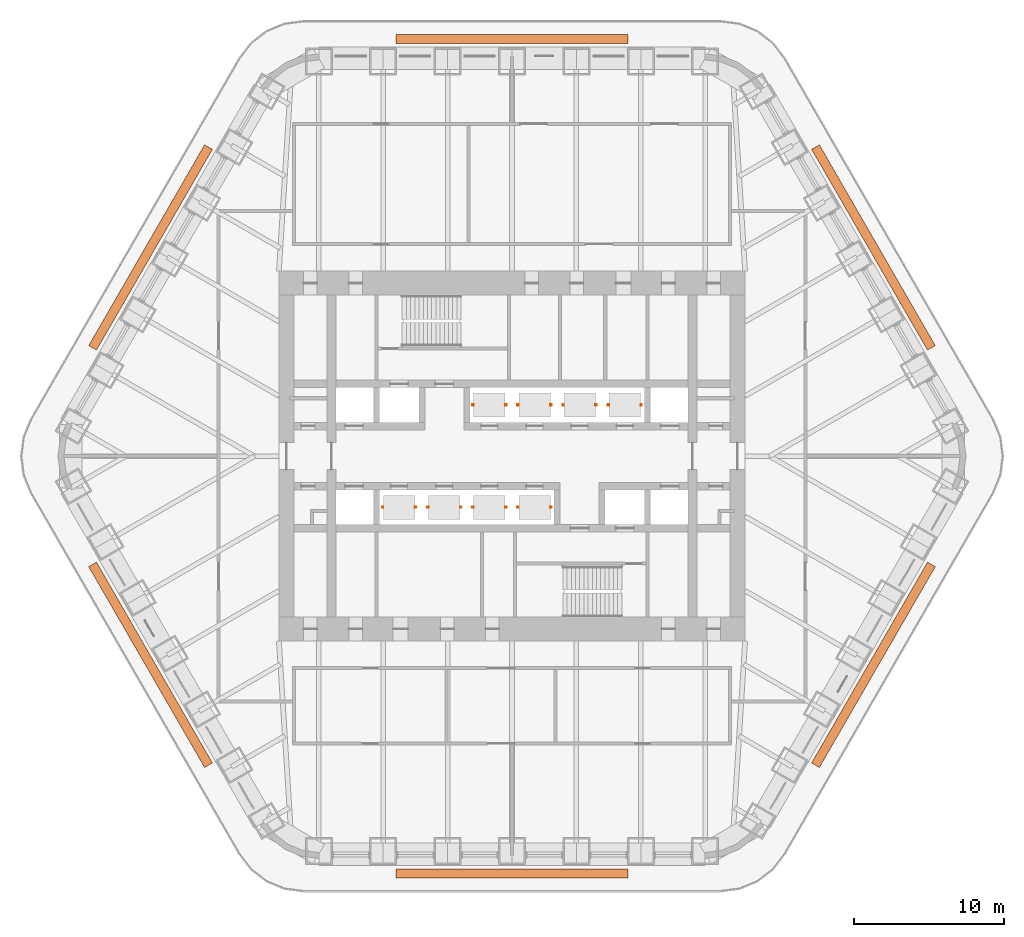
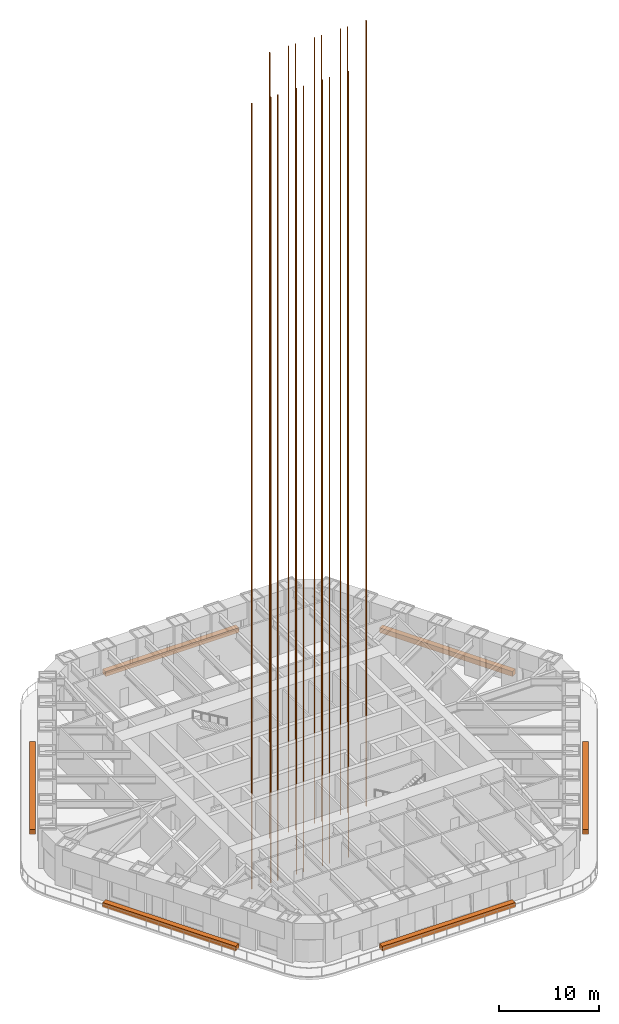
# One storey, part 14 of 14: 14 proxies.
"""IFC4 building model written with IfcOpenShell, lengths in metres."""

from ifc_helpers import new_model, si_unit, direction, frame, frame_2d, origin, origin_2d, place, context, subcontext, project, spatial, rectangle, extrude, material, element, save


model = new_model("IFC4")

# Units and contexts
model_context = context("Model", 3, precision=1e-05, world=origin(), true_north=direction((0.0, 1.0)))
body_context = subcontext(model_context, "Body", "Model", "MODEL_VIEW")
ifc_project = project(units=[si_unit("LENGTHUNIT", "METRE"), si_unit("AREAUNIT", "SQUARE_METRE"), si_unit("VOLUMEUNIT", "CUBIC_METRE"), si_unit("PLANEANGLEUNIT", "RADIAN"), si_unit("MASSUNIT", "GRAM", prefix="KILO")], contexts=[model_context])

# Site, building, storey
site_placement = place(None, origin())
site = spatial("IfcSite", under=ifc_project, at=site_placement, CompositionType="ELEMENT")
building_placement = place(site_placement, origin())
building = spatial("IfcBuilding", under=site, at=building_placement, Name="Tarfa Lantern Tower", CompositionType="ELEMENT")
storey_placement = place(building_placement, frame((0.0, 0.0, 306.5)))
storey = spatial("IfcBuildingStorey", under=building, at=storey_placement, Name="L69", CompositionType="ELEMENT", Elevation=306.5)

# Proxies
ifc_material_1 = material(Name="Planting bed")
for number, where, z_axis, x_axis, name in (
    (1, (24.0322265625, 13.875, 0.0), (0.0, 0.0, 1.0), (-0.5, 0.866025403784, 0.0), "Sky garden planter"),
    (2, (0.0, 27.75, 0.0), (0.0, 0.0, 1.0), (-1.0, 0.0, 0.0), "Sky garden planter"),
    (3, (-24.0322265625, 13.875, 0.0), (0.0, 0.0, 1.0), (-0.5, -0.866025403784, 0.0), "Sky garden planter"),
    (4, (-24.0322265625, -13.875, 0.0), (0.0, 0.0, 1.0), (0.5, -0.866025403784, 0.0), "Sky garden planter"),
    (5, (0.0, -27.75, 0.0), (0.0, 0.0, 1.0), (1.0, 0.0, 0.0), "Sky garden planter"),
    (6, (24.0322265625, -13.875, 0.0), (0.0, 0.0, 1.0), (0.5, 0.866025403784, 0.0), "Sky garden planter"),
):
    element("IfcBuildingElementProxy", number, at=place(storey_placement, frame(where, z_axis=z_axis, x_axis=x_axis)), inside=storey, material=ifc_material_1, Name=name, ObjectType="PLANTER", PredefinedType="USERDEFINED", context=body_context, shape_type="SweptSolid", body=[
        extrude(rectangle(XDim=15.415283203125, YDim=0.60009765625, at=origin_2d()), origin(), (0.0, 0.0, 1.0), 0.60009765625),
    ])
ifc_material_2 = material(Name="Steel S355", Category="steel")
for number, where, z_axis, x_axis, name in (
    (7, (-2.594970703125, 3.39990234375, -7.0), (0.0, 0.0, 1.0), (1.0, 0.0, 0.0), "Guide rails PD1"),
    (8, (0.405029296875, 3.39990234375, -7.0), (0.0, 0.0, 1.0), (1.0, 0.0, 0.0), "Guide rails PD2"),
    (9, (3.405029296875, 3.39990234375, -7.0), (0.0, 0.0, 1.0), (1.0, 0.0, 0.0), "Guide rails PD3"),
    (10, (6.405029296875, 3.39990234375, -7.0), (0.0, 0.0, 1.0), (1.0, 0.0, 0.0), "Guide rails PD4"),
    (11, (0.405029296875, -3.39990234375, -7.0), (0.0, 0.0, 1.0), (1.0, 0.0, 0.0), "Guide rails PD5"),
    (12, (-2.594970703125, -3.39990234375, -7.0), (0.0, 0.0, 1.0), (1.0, 0.0, 0.0), "Guide rails PD6"),
    (13, (-5.594970703125, -3.39990234375, -7.0), (0.0, 0.0, 1.0), (1.0, 0.0, 0.0), "Guide rails PD7"),
    (14, (-8.594970703125, -3.39990234375, -7.0), (0.0, 0.0, 1.0), (1.0, 0.0, 0.0), "Guide rails PD8"),
):
    element("IfcBuildingElementProxy", number, at=place(storey_placement, frame(where, z_axis=z_axis, x_axis=x_axis)), inside=storey, material=ifc_material_2, Name=name, PredefinedType="NOTDEFINED", context=body_context, shape_type="SweptSolid", body=[
        extrude(rectangle(XDim=0.090087890625, YDim=0.090087890625, at=origin_2d()), origin(), (0.0, 0.0, 1.0), 96.25),
        extrude(rectangle(XDim=0.090087890625, YDim=0.090087890625, at=frame_2d((2.18994140625, 0.0))), origin(), (0.0, 0.0, 1.0), 96.25),
    ])

save(model, "model.ifc")
